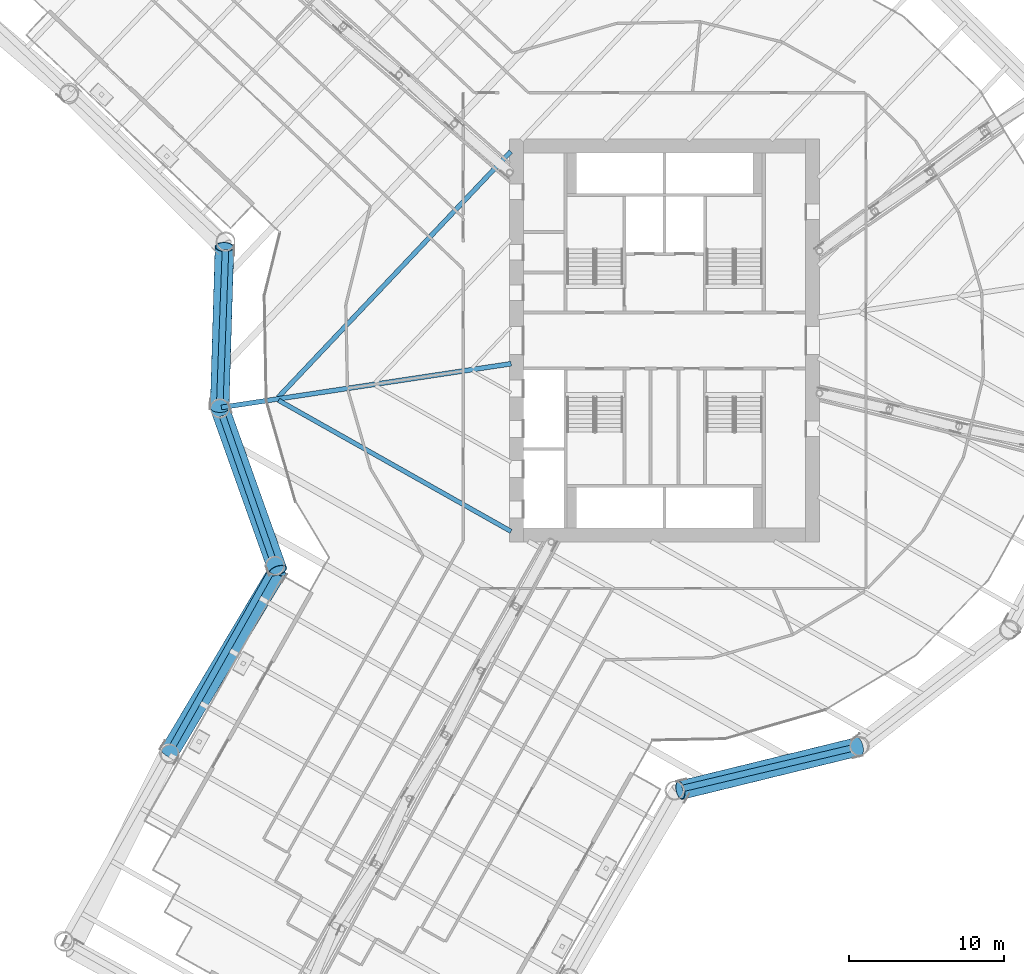
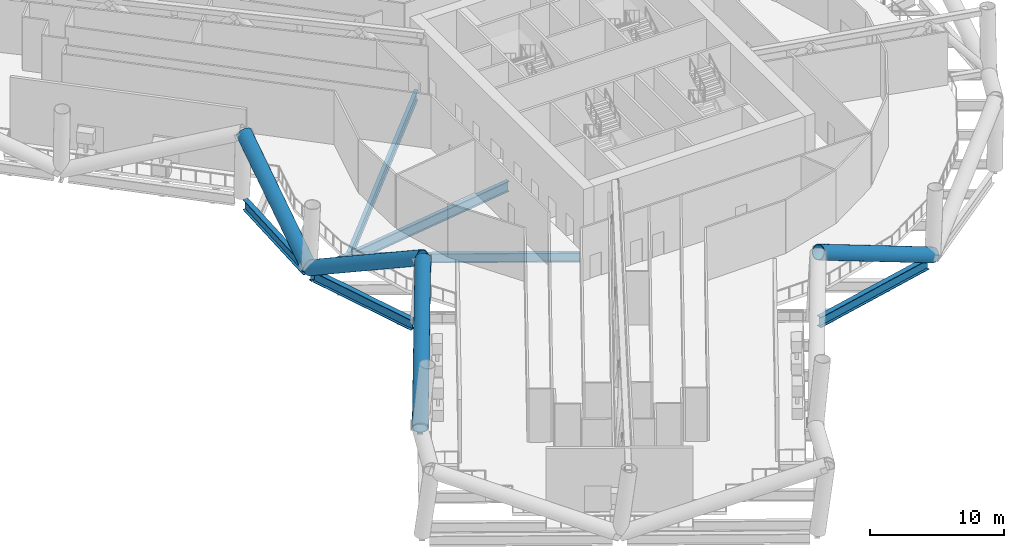
# One storey, part 3 of 39: 7 beams, 4 members.
"""IFC4 building model written with IfcOpenShell, lengths in metres."""

from ifc_helpers import new_model, si_unit, direction, frame, origin, origin_2d, place, context, subcontext, project, spatial, hollow_circle, i_section, extrude, material, material_profile, profile_set, type_object, element, save


model = new_model("IFC4")

# Units and contexts
model_context = context("Model", 3, precision=1e-05, world=origin(), true_north=direction((0.0, 1.0)))
body_context = subcontext(model_context, "Body", "Model", "MODEL_VIEW")
ifc_project = project(units=[si_unit("LENGTHUNIT", "METRE"), si_unit("AREAUNIT", "SQUARE_METRE"), si_unit("VOLUMEUNIT", "CUBIC_METRE"), si_unit("PLANEANGLEUNIT", "RADIAN"), si_unit("MASSUNIT", "GRAM", prefix="KILO")], contexts=[model_context])

# Site, building, storey
site_placement = place(None, origin())
site = spatial("IfcSite", under=ifc_project, at=site_placement, CompositionType="ELEMENT")
building_placement = place(site_placement, origin())
building = spatial("IfcBuilding", under=site, at=building_placement, Name="Tarsis Ring Headquarters", CompositionType="ELEMENT")
storey_placement = place(building_placement, frame((0.0, 0.0, 86.800048828125)))
storey = spatial("IfcBuildingStorey", under=building, at=storey_placement, Name="L19", CompositionType="ELEMENT", Elevation=86.800048828125)

# Beams
ifc_material_1 = material(Name="Structural steel S355", Category="steel")
ifc_material_profile_1 = material_profile(ifc_material_1, i_section(OverallWidth=0.2919921875, OverallDepth=0.835693359375, WebThickness=0.013916015625, FlangeThickness=0.018798828125, at=origin_2d()), Name="W33x118")
ifc_profile_set_1 = profile_set([ifc_material_profile_1], Name="Structural steel S355")
beam_type_1 = type_object("IfcBeamType", Name="FB Floor beam W33x118", PredefinedType="JOIST", material=ifc_profile_set_1)
beam_1_placement = place(storey_placement, frame((-24.9228515625, -3.854736328125, -0.718017578125), z_axis=(0.871042663534, -0.491207367925, 0.0), x_axis=(0.491207367925, 0.871042663534, 0.0)))
element("IfcBeam", 1, at=beam_1_placement, inside=storey, type_object=beam_type_1, Name="Floor beam FB7", PredefinedType="JOIST", context=body_context, shape_type="SweptSolid", body=[
    extrude(i_section(OverallWidth=0.2919921875, OverallDepth=0.835693359375, WebThickness=0.013916015625, FlangeThickness=0.018798828125, at=origin_2d()), origin(), (0.0, 0.0, 1.0), 17.232177734375),
])
ifc_material_profile_2 = material_profile(ifc_material_1, i_section(OverallWidth=0.3046875, OverallDepth=0.91943359375, WebThickness=0.017333984375, FlangeThickness=0.02783203125, at=origin_2d()), Name="W36x170")
ifc_profile_set_2 = profile_set([ifc_material_profile_2], Name="Structural steel S355")
beam_type_2 = type_object("IfcBeamType", Name="FB Floor beam W36x170", PredefinedType="JOIST", material=ifc_profile_set_2)
beam_2_placement = place(storey_placement, frame((-9.93115234375, 12.201416015625, -0.759765625), z_axis=(-0.687341674047, -0.726334236505, 0.0), x_axis=(0.726334236505, -0.687341674047, 0.0)))
element("IfcBeam", 2, at=beam_2_placement, inside=storey, type_object=beam_type_2, Name="Floor beam FB9", PredefinedType="JOIST", context=body_context, shape_type="SweptSolid", body=[
    extrude(i_section(OverallWidth=0.3046875, OverallDepth=0.91943359375, WebThickness=0.017333984375, FlangeThickness=0.02783203125, at=origin_2d()), origin(), (0.0, 0.0, 1.0), 21.8515625),
])
ifc_material_profile_3 = material_profile(ifc_material_1, i_section(OverallWidth=0.309814453125, OverallDepth=0.949951171875, WebThickness=0.0244140625, FlangeThickness=0.0439453125, at=origin_2d()), Name="W36x256")
ifc_profile_set_3 = profile_set([ifc_material_profile_3], Name="Structural steel S355")
beam_type_3 = type_object("IfcBeamType", Name="FB Floor beam W36x256 spine", PredefinedType="BEAM", material=ifc_profile_set_3)
beam_3_placement = place(storey_placement, frame((-9.901123046875, -1.493896484375, -0.775146484375), z_axis=(-0.988809253234, -0.149185323406, 0.0), x_axis=(0.149185323406, -0.988809253234, 0.0)))
element("IfcBeam", 3, at=beam_3_placement, inside=storey, type_object=beam_type_3, Name="Floor beam SB11", PredefinedType="BEAM", context=body_context, shape_type="SweptSolid", body=[
    extrude(i_section(OverallWidth=0.309814453125, OverallDepth=0.949951171875, WebThickness=0.0244140625, FlangeThickness=0.0439453125, at=origin_2d()), origin(), (0.0, 0.0, 1.0), 18.91943359375),
])

# Members
ifc_material_2 = material(Name="Structural steel S460", Category="steel")
ifc_material_profile_4 = material_profile(ifc_material_2, hollow_circle(Radius=0.609619140625, WallThickness=0.050048828125, at=origin_2d()), Name="CHS 1219x50")
ifc_profile_set_4 = profile_set([ifc_material_profile_4], Name="Structural steel S460")
member_type = type_object("IfcMemberType", Name="TD Belt truss diagonal CHS 1219x50", PredefinedType="BRACE", material=ifc_profile_set_4)
member_1_placement = place(storey_placement, frame((-28.723388671875, -4.333740234375, 0.0), z_axis=(0.296248784872, -0.829458061215, 0.473535618668), x_axis=(0.941736962072, 0.33635025534, 0.0)))
element("IfcMember", 4, at=member_1_placement, inside=storey, type_object=member_type, Name="Belt truss diagonal TD1", PredefinedType="BRACE", context=body_context, shape_type="SweptSolid", body=[
    extrude(hollow_circle(Radius=0.609619140625, WallThickness=0.050048828125, at=origin_2d()), origin(), (0.0, 0.0, 1.0), 12.670654296875),
])
member_2_placement = place(storey_placement, frame((-31.998291015625, -26.61181640625, 0.0), z_axis=(0.469727025916, 0.786489695031, 0.400986883494), x_axis=(-0.858534666168, 0.512755523605, 0.0)))
element("IfcMember", 5, at=member_2_placement, inside=storey, type_object=member_type, Name="Belt truss diagonal TD1", PredefinedType="BRACE", context=body_context, shape_type="SweptSolid", body=[
    extrude(hollow_circle(Radius=0.609619140625, WallThickness=0.050048828125, at=origin_2d()), origin(), (0.0, 0.0, 1.0), 14.963134765625),
])
member_3_placement = place(storey_placement, frame((12.52978515625, -26.207275390625, 0.0), z_axis=(-0.866689215243, -0.212420586215, 0.451361605294), x_axis=(0.238048631713, -0.971253236257, 0.0)))
element("IfcMember", 6, at=member_3_placement, inside=storey, type_object=member_type, Name="Belt truss diagonal TD1", PredefinedType="BRACE", context=body_context, shape_type="SweptSolid", body=[
    extrude(hollow_circle(Radius=0.609619140625, WallThickness=0.050048828125, at=origin_2d()), origin(), (0.0, 0.0, 1.0), 13.293212890625),
])
member_4_placement = place(storey_placement, frame((-28.723388671875, -4.333740234375, 0.0), z_axis=(0.025916977822, 0.865439756677, 0.500342220708), x_axis=(-0.999551901956, 0.029933180531, 0.0)))
element("IfcMember", 7, at=member_4_placement, inside=storey, type_object=member_type, Name="Belt truss diagonal TD1", PredefinedType="BRACE", context=body_context, shape_type="SweptSolid", body=[
    extrude(hollow_circle(Radius=0.609619140625, WallThickness=0.050048828125, at=origin_2d()), origin(), (0.0, 0.0, 1.0), 11.99169921875),
])

# Beams
ifc_material_profile_5 = material_profile(ifc_material_1, i_section(OverallWidth=0.42431640625, OverallDepth=0.947509765625, WebThickness=0.02392578125, FlangeThickness=0.042724609375, at=origin_2d()), Name="W36x302")
ifc_profile_set_5 = profile_set([ifc_material_profile_5], Name="Structural steel S355")
beam_type_4 = type_object("IfcBeamType", Name="XG Ring girder W36x302", PredefinedType="BEAM", material=ifc_profile_set_5)
beam_4_placement = place(storey_placement, frame((-28.54248046875, -4.8515625, -0.4736328125), z_axis=(0.329950228851, -0.943998329703, 0.0), x_axis=(0.943998329703, 0.329950228851, 0.0)))
element("IfcBeam", 8, at=beam_4_placement, inside=storey, type_object=beam_type_4, Name="Ring girder XG1", PredefinedType="BEAM", context=body_context, shape_type="SweptSolid", body=[
    extrude(i_section(OverallWidth=0.42431640625, OverallDepth=0.947509765625, WebThickness=0.02392578125, FlangeThickness=0.042724609375, at=origin_2d()), origin(), (0.0, 0.0, 1.0), 9.674560546875),
])
beam_5_placement = place(storey_placement, frame((-25.43896484375, -14.980224609375, -0.4736328125), z_axis=(-0.491205101605, -0.871043941576, 0.0), x_axis=(0.871043941576, -0.491205101605, 0.0)))
element("IfcBeam", 9, at=beam_5_placement, inside=storey, type_object=beam_type_4, Name="Ring girder XG1", PredefinedType="BEAM", context=body_context, shape_type="SweptSolid", body=[
    extrude(i_section(OverallWidth=0.42431640625, OverallDepth=0.947509765625, WebThickness=0.02392578125, FlangeThickness=0.042724609375, at=origin_2d()), origin(), (0.0, 0.0, 1.0), 12.804931640625),
])
beam_6_placement = place(storey_placement, frame((1.147216796875, -28.9150390625, -0.4736328125), z_axis=(0.972851766773, 0.231429124976, 0.0), x_axis=(-0.231429124976, 0.972851766773, 0.0)))
element("IfcBeam", 10, at=beam_6_placement, inside=storey, type_object=beam_type_4, Name="Ring girder XG1", PredefinedType="BEAM", context=body_context, shape_type="SweptSolid", body=[
    extrude(i_section(OverallWidth=0.42431640625, OverallDepth=0.947509765625, WebThickness=0.02392578125, FlangeThickness=0.042724609375, at=origin_2d()), origin(), (0.0, 0.0, 1.0), 11.151611328125),
])
beam_7_placement = place(storey_placement, frame((-28.347900390625, 5.88232421875, -0.4736328125), z_axis=(-0.036743776144, -0.999324719455, 0.0), x_axis=(0.999324719455, -0.036743776144, 0.0)))
element("IfcBeam", 11, at=beam_7_placement, inside=storey, type_object=beam_type_4, Name="Ring girder XG1", PredefinedType="BEAM", context=body_context, shape_type="SweptSolid", body=[
    extrude(i_section(OverallWidth=0.42431640625, OverallDepth=0.947509765625, WebThickness=0.02392578125, FlangeThickness=0.042724609375, at=origin_2d()), origin(), (0.0, 0.0, 1.0), 9.67431640625),
])

save(model, "model.ifc")
